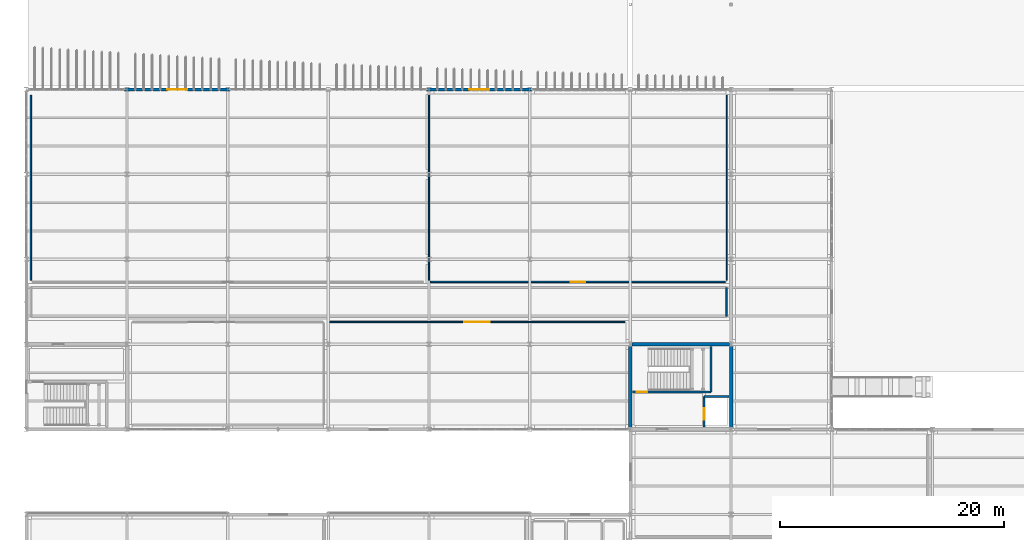
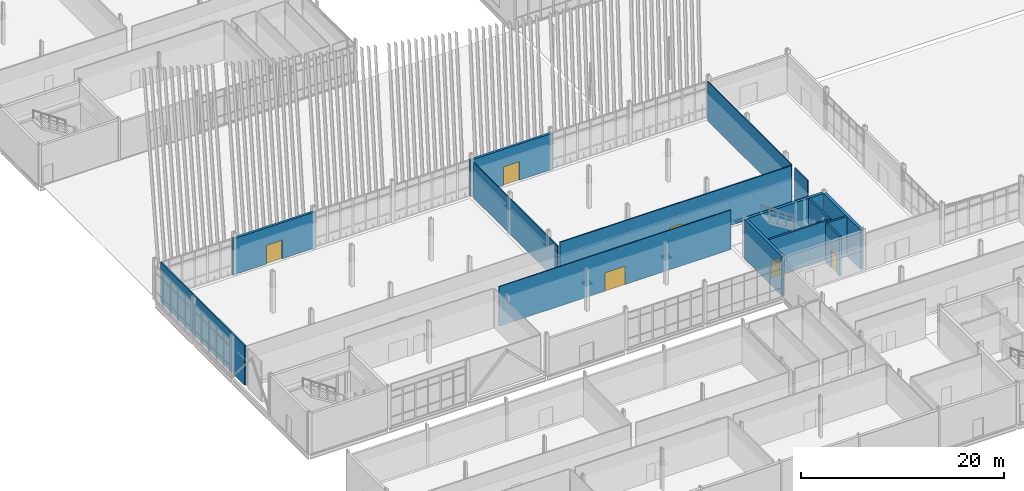
# One storey, part 140 of 161: 15 walls, 6 doors, 6 openings.
"""IFC4 building model written with IfcOpenShell, lengths in metres."""

from ifc_helpers import new_model, si_unit, direction, frame, frame_2d, origin, place, context, subcontext, project, spatial, rectangle, extrude, material, layer, layer_set, type_object, element, fill, save


model = new_model("IFC4")

# Units and contexts
model_context = context("Model", 3, precision=1e-05, world=origin(), true_north=direction((0.0, 1.0)))
body_context = subcontext(model_context, "Body", "Model", "MODEL_VIEW")
ifc_project = project(units=[si_unit("LENGTHUNIT", "METRE"), si_unit("AREAUNIT", "SQUARE_METRE"), si_unit("VOLUMEUNIT", "CUBIC_METRE"), si_unit("PLANEANGLEUNIT", "RADIAN"), si_unit("MASSUNIT", "GRAM", prefix="KILO")], contexts=[model_context])

# Site, building, storey
site_placement = place(None, origin())
site = spatial("IfcSite", under=ifc_project, at=site_placement, CompositionType="ELEMENT")
building_placement = place(site_placement, origin())
building = spatial("IfcBuilding", under=site, at=building_placement, Name="Caisbarro Railhouse Central Library", CompositionType="ELEMENT")
storey_placement = place(building_placement, origin())
storey = spatial("IfcBuildingStorey", under=building, at=storey_placement, Name="L00", CompositionType="ELEMENT", Elevation=0.0)

# Walls
ifc_material_1 = material(Name="Concrete C40", Category="concrete")
ifc_layer_1 = layer(ifc_material_1, 0.320068359375, Name="Concrete C40")
ifc_layer_set_1 = layer_set([ifc_layer_1], Name="Concrete C40")
wall_type_1 = type_object("IfcWallType", Name="WAL-CW32", PredefinedType="SHEAR", material=ifc_layer_set_1)
wall_1_placement = place(storey_placement, frame((54.159912109375, 38.0, 0.0), z_axis=(0.0, 0.0, 1.0), x_axis=(1.0, 0.0, 0.0)))
element("IfcWall", 1, at=wall_1_placement, inside=storey, type_object=wall_type_1, Name="CW32 RC core shear wall L00 #59", PredefinedType="SHEAR", context=body_context, shape_type="SweptSolid", body=[
    extrude(rectangle(XDim=8.68017578125, YDim=0.320068359375, at=frame_2d((4.340087890625, 0.0))), origin(), (0.0, 0.0, 1.0), 4.760009765625),
])
for number, where, z_axis, x_axis, name in (
    (2, (54.0, 30.56005859375, 0.0), (0.0, 0.0, 1.0), (0.0, 1.0, 0.0), "CW32 RC core shear wall L00 #60"),
    (3, (63.0, 30.56005859375, 0.0), (0.0, 0.0, 1.0), (0.0, 1.0, 0.0), "CW32 RC core shear wall L00 #61"),
):
    element("IfcWall", number, at=place(storey_placement, frame(where, z_axis=z_axis, x_axis=x_axis)), inside=storey, type_object=wall_type_1, Name=name, PredefinedType="SHEAR", context=body_context, shape_type="SweptSolid", body=[
        extrude(rectangle(XDim=7.280029296875, YDim=0.320068359375, at=frame_2d((3.64013671875, 0.0))), origin(), (0.0, 0.0, 1.0), 4.760009765625),
    ])

# Wall, opening, door
ifc_material_2 = material(Name="Concrete C35 insulated architectural precast", Category="concrete")
ifc_layer_2 = layer(ifc_material_2, 0.260009765625, Name="Concrete C35 insulated architectural precast")
ifc_layer_set_2 = layer_set([ifc_layer_2], Name="Concrete C35 insulated architectural precast")
wall_type_2 = type_object("IfcWallType", Name="WAL-EW26", PredefinedType="STANDARD", material=ifc_layer_set_2)
wall_2_placement = place(storey_placement, frame((8.7900390625, 60.800048828125, 0.0), z_axis=(0.0, 0.0, 1.0), x_axis=(1.0, 0.0, 0.0)))
wall_2 = element("IfcWall", 4, at=wall_2_placement, inside=storey, type_object=wall_type_2, Name="EW26 exterior wall L00 #23", PredefinedType="STANDARD", context=body_context, shape_type="SweptSolid", body=[
    extrude(rectangle(XDim=9.419921875, YDim=0.260009765625, at=frame_2d((4.7099609375, 0.0))), origin(), (0.0, 0.0, 1.0), 4.35107421875),
])
opening_1_placement = place(wall_2_placement, frame((3.81005859375, 0.0, 0.0)))
opening_1 = element("IfcOpeningElement", 5, at=opening_1_placement, cuts=wall_2, Name="Opening ED01", PredefinedType="OPENING", context=body_context, shape_type="SweptSolid", body=[
    extrude(rectangle(XDim=1.800048828125, YDim=2.25, at=frame_2d((0.89990234375, 1.125))), frame((0.0, 0.14013671875, 0.0), z_axis=(0.0, -1.0, 0.0), x_axis=(1.0, 0.0, 0.0)), (0.0, 0.0, 1.0), 0.280029296875),
])
ifc_material_3 = material(Name="Thermally broken anodised aluminium and safety glass", Category="aluminium")
door_type_1 = type_object("IfcDoorType", Name="DR-ED01", OperationType="NOTDEFINED", PredefinedType="DOOR", material=ifc_material_3)
door_1_placement = place(opening_1_placement, origin())
door_1 = element("IfcDoor", 6, at=door_1_placement, inside=storey, type_object=door_type_1, Name="Exit Door ED01 L00-01", OperationType="SINGLE_SWING_LEFT", OverallHeight=2.25, OverallWidth=1.800048828125, PredefinedType="DOOR", context=body_context, shape_type="SweptSolid", body=[
    extrude(rectangle(XDim=1.800048828125, YDim=2.25, at=frame_2d((0.89990234375, 1.125))), frame((0.0, 0.02490234375, 0.0), z_axis=(0.0, -1.0, 0.0), x_axis=(1.0, 0.0, 0.0)), (0.0, 0.0, 1.0), 0.050048828125),
])
fill(opening_1, door_1)

wall_3_placement = place(storey_placement, frame((35.7900390625, 60.800048828125, 0.0), z_axis=(0.0, 0.0, 1.0), x_axis=(1.0, 0.0, 0.0)))
wall_3 = element("IfcWall", 7, at=wall_3_placement, inside=storey, type_object=wall_type_2, Name="EW26 exterior wall L00 #24", PredefinedType="STANDARD", context=body_context, shape_type="SweptSolid", body=[
    extrude(rectangle(XDim=9.419921875, YDim=0.260009765625, at=frame_2d((4.7099609375, 0.0))), origin(), (0.0, 0.0, 1.0), 4.35107421875),
])
opening_2_placement = place(wall_3_placement, frame((3.81005859375, 0.0, 0.0)))
opening_2 = element("IfcOpeningElement", 8, at=opening_2_placement, cuts=wall_3, Name="Opening ED01", PredefinedType="OPENING", context=body_context, shape_type="SweptSolid", body=[
    extrude(rectangle(XDim=1.800048828125, YDim=2.25, at=frame_2d((0.89990234375, 1.125))), frame((0.0, 0.14013671875, 0.0), z_axis=(0.0, -1.0, 0.0), x_axis=(1.0, 0.0, 0.0)), (0.0, 0.0, 1.0), 0.280029296875),
])
door_2_placement = place(opening_2_placement, origin())
door_2 = element("IfcDoor", 9, at=door_2_placement, inside=storey, type_object=door_type_1, Name="Exit Door ED01 L00-02", OperationType="SINGLE_SWING_RIGHT", OverallHeight=2.25, OverallWidth=1.800048828125, PredefinedType="DOOR", context=body_context, shape_type="SweptSolid", body=[
    extrude(rectangle(XDim=1.800048828125, YDim=2.25, at=frame_2d((0.89990234375, 1.125))), frame((0.0, 0.02490234375, 0.0), z_axis=(0.0, -1.0, 0.0), x_axis=(1.0, 0.0, 0.0)), (0.0, 0.0, 1.0), 0.050048828125),
])
fill(opening_2, door_2)

# Walls
ifc_material_4 = material(Name="Acoustic gypsum board on galvanised steel studs", Category="steel")
ifc_layer_3 = layer(ifc_material_4, 0.090087890625, Name="Acoustic gypsum board on galvanised steel studs")
ifc_layer_set_3 = layer_set([ifc_layer_3], Name="Acoustic gypsum board on galvanised steel studs")
wall_type_3 = type_object("IfcWallType", Name="WAL-IW09", PredefinedType="PARTITIONING", material=ifc_layer_set_3)
wall_4_placement = place(storey_placement, frame((62.60009765625, 43.719970703125, 0.0), z_axis=(0.0, 0.0, 1.0), x_axis=(0.0, 1.0, 0.0)))
element("IfcWall", 10, at=wall_4_placement, inside=storey, type_object=wall_type_3, Name="IW09 partition wall L00 #297", PredefinedType="PARTITIONING", context=body_context, shape_type="SweptSolid", body=[
    extrude(rectangle(XDim=16.56005859375, YDim=0.090087890625, at=frame_2d((8.280029296875, 0.0))), origin(), (0.0, 0.0, 1.0), 4.760009765625),
])
ifc_layer_4 = layer(ifc_material_4, 0.110107421875, Name="Acoustic gypsum board on galvanised steel studs")
ifc_layer_set_4 = layer_set([ifc_layer_4], Name="Acoustic gypsum board on galvanised steel studs")
wall_type_4 = type_object("IfcWallType", Name="WAL-IW11", PredefinedType="PARTITIONING", material=ifc_layer_set_4)
wall_5_placement = place(storey_placement, frame((36.0, 43.719970703125, 0.0), z_axis=(0.0, 0.0, 1.0), x_axis=(0.0, 1.0, 0.0)))
element("IfcWall", 11, at=wall_5_placement, inside=storey, type_object=wall_type_4, Name="IW11 partition wall L00 #296", PredefinedType="PARTITIONING", context=body_context, shape_type="SweptSolid", body=[
    extrude(rectangle(XDim=16.56005859375, YDim=0.110107421875, at=frame_2d((8.280029296875, 0.0))), origin(), (0.0, 0.0, 1.0), 4.27490234375),
])

# Wall, opening, door
wall_6_placement = place(storey_placement, frame((27.1201171875, 40.0, 0.0), z_axis=(0.0, 0.0, 1.0), x_axis=(1.0, 0.0, 0.0)))
wall_6 = element("IfcWall", 12, at=wall_6_placement, inside=storey, type_object=wall_type_4, Name="IW11 partition wall L00 #356", PredefinedType="PARTITIONING", context=body_context, shape_type="SweptSolid", body=[
    extrude(rectangle(XDim=26.35986328125, YDim=0.110107421875, at=frame_2d((13.179931640625, 0.0))), origin(), (0.0, 0.0, 1.0), 4.760009765625),
])
opening_3_placement = place(wall_6_placement, frame((12.0400390625, 0.0, 0.0)))
opening_3 = element("IfcOpeningElement", 13, at=opening_3_placement, cuts=wall_6, Name="Opening ID56", PredefinedType="OPENING", context=body_context, shape_type="SweptSolid", body=[
    extrude(rectangle(XDim=2.280029296875, YDim=2.199951171875, at=frame_2d((1.14013671875, 1.10009765625))), frame((0.0, 0.06494140625, 0.0), z_axis=(0.0, -1.0, 0.0), x_axis=(1.0, 0.0, 0.0)), (0.0, 0.0, 1.0), 0.130126953125),
])
ifc_material_5 = material(Name="Solid-core tropical hardwood veneer", Category="wood")
door_type_2 = type_object("IfcDoorType", Name="DR-ID56", OperationType="NOTDEFINED", PredefinedType="DOOR", material=ifc_material_5)
door_3_placement = place(opening_3_placement, origin())
door_3 = element("IfcDoor", 14, at=door_3_placement, inside=storey, type_object=door_type_2, Name="Civic Exhibition Gallery Door ID56 L00-218", OperationType="SINGLE_SWING_RIGHT", OverallHeight=2.199951171875, OverallWidth=2.280029296875, PredefinedType="DOOR", context=body_context, shape_type="SweptSolid", body=[
    extrude(rectangle(XDim=2.280029296875, YDim=2.199951171875, at=frame_2d((1.14013671875, 1.10009765625))), frame((0.0, 0.02490234375, 0.0), z_axis=(0.0, -1.0, 0.0), x_axis=(1.0, 0.0, 0.0)), (0.0, 0.0, 1.0), 0.050048828125),
])
fill(opening_3, door_3)

ifc_layer_5 = layer(ifc_material_4, 0.1298828125, Name="Acoustic gypsum board on galvanised steel studs")
ifc_layer_set_5 = layer_set([ifc_layer_5], Name="Acoustic gypsum board on galvanised steel studs")
wall_type_5 = type_object("IfcWallType", Name="WAL-IW13", PredefinedType="PARTITIONING", material=ifc_layer_set_5)
wall_7_placement = place(storey_placement, frame((36.1201171875, 43.60009765625, 0.0), z_axis=(0.0, 0.0, 1.0), x_axis=(1.0, 0.0, 0.0)))
wall_7 = element("IfcWall", 15, at=wall_7_placement, inside=storey, type_object=wall_type_5, Name="IW13 partition wall L00 #295", PredefinedType="PARTITIONING", context=body_context, shape_type="SweptSolid", body=[
    extrude(rectangle(XDim=26.35986328125, YDim=0.1298828125, at=frame_2d((13.179931640625, 0.0))), origin(), (0.0, 0.0, 1.0), 4.760009765625),
])
opening_4_placement = place(wall_7_placement, frame((12.534912109375, 0.0, 0.0)))
opening_4 = element("IfcOpeningElement", 16, at=opening_4_placement, cuts=wall_7, Name="Opening ID31", PredefinedType="OPENING", context=body_context, shape_type="SweptSolid", body=[
    extrude(rectangle(XDim=1.2900390625, YDim=2.14990234375, at=frame_2d((0.64501953125, 1.074951171875))), frame((0.0, 0.074951171875, 0.0), z_axis=(0.0, -1.0, 0.0), x_axis=(1.0, 0.0, 0.0)), (0.0, 0.0, 1.0), 0.14990234375),
])
door_type_3 = type_object("IfcDoorType", Name="DR-ID31", OperationType="NOTDEFINED", PredefinedType="DOOR", material=ifc_material_5)
door_4_placement = place(opening_4_placement, origin())
door_4 = element("IfcDoor", 17, at=door_4_placement, inside=storey, type_object=door_type_3, Name="Popular Lending Reading Room Door ID31 L00-193", OperationType="SINGLE_SWING_LEFT", OverallHeight=2.14990234375, OverallWidth=1.2900390625, PredefinedType="DOOR", context=body_context, shape_type="SweptSolid", body=[
    extrude(rectangle(XDim=1.2900390625, YDim=2.14990234375, at=frame_2d((0.64501953125, 1.074951171875))), frame((0.0, 0.02490234375, 0.0), z_axis=(0.0, -1.0, 0.0), x_axis=(1.0, 0.0, 0.0)), (0.0, 0.0, 1.0), 0.050048828125),
])
fill(opening_4, door_4)

# Walls
ifc_layer_6 = layer(ifc_material_4, 0.14990234375, Name="Acoustic gypsum board on galvanised steel studs")
ifc_layer_set_6 = layer_set([ifc_layer_6], Name="Acoustic gypsum board on galvanised steel studs")
wall_type_6 = type_object("IfcWallType", Name="WAL-IW15", PredefinedType="PARTITIONING", material=ifc_layer_set_6)
wall_8_placement = place(storey_placement, frame((62.60009765625, 40.52001953125, 0.0), z_axis=(0.0, 0.0, 1.0), x_axis=(0.0, 1.0, 0.0)))
element("IfcWall", 18, at=wall_8_placement, inside=storey, type_object=wall_type_6, Name="IW15 partition wall L00 #354", PredefinedType="PARTITIONING", context=body_context, shape_type="SweptSolid", body=[
    extrude(rectangle(XDim=2.56005859375, YDim=0.14990234375, at=frame_2d((1.280029296875, 0.0))), origin(), (0.0, 0.0, 1.0), 4.760009765625),
])
wall_9_placement = place(storey_placement, frame((0.39990234375, 43.719970703125, 0.0), z_axis=(0.0, 0.0, 1.0), x_axis=(0.0, 1.0, 0.0)))
element("IfcWall", 19, at=wall_9_placement, inside=storey, type_object=wall_type_6, Name="IW15 partition wall L00 #358", PredefinedType="PARTITIONING", context=body_context, shape_type="SweptSolid", body=[
    extrude(rectangle(XDim=16.56005859375, YDim=0.14990234375, at=frame_2d((8.280029296875, 0.0))), origin(), (0.0, 0.0, 1.0), 4.760009765625),
])

# Wall, opening, door
ifc_layer_7 = layer(ifc_material_1, 0.2099609375, Name="Concrete C40")
ifc_layer_set_7 = layer_set([ifc_layer_7], Name="Concrete C40")
wall_type_7 = type_object("IfcWallType", Name="WAL-SW21", PredefinedType="SOLIDWALL", material=ifc_layer_set_7)
wall_10_placement = place(storey_placement, frame((54.199951171875, 33.75, 0.0), z_axis=(0.0, 0.0, 1.0), x_axis=(1.0, 0.0, 0.0)))
wall_10 = element("IfcWall", 20, at=wall_10_placement, inside=storey, type_object=wall_type_7, Name="SW21 core shaft wall L00 #123", PredefinedType="SOLIDWALL", context=body_context, shape_type="SweptSolid", body=[
    extrude(rectangle(XDim=7.0, YDim=0.2099609375, at=frame_2d((3.5, 0.0))), origin(), (0.0, 0.0, 1.0), 4.760009765625),
])
opening_5_placement = place(wall_10_placement, frame((0.35009765625, 0.0, 0.0)))
opening_5 = element("IfcOpeningElement", 21, at=opening_5_placement, cuts=wall_10, Name="Opening FD01", PredefinedType="OPENING", context=body_context, shape_type="SweptSolid", body=[
    extrude(rectangle(XDim=0.949951171875, YDim=2.1201171875, at=frame_2d((0.47509765625, 1.06005859375))), frame((0.0, 0.114990234375, 0.0), z_axis=(0.0, -1.0, 0.0), x_axis=(1.0, 0.0, 0.0)), (0.0, 0.0, 1.0), 0.22998046875),
])
ifc_material_6 = material(Name="Fire-rated painted galvanised steel", Category="steel")
door_type_4 = type_object("IfcDoorType", Name="DR-FD01", OperationType="NOTDEFINED", PredefinedType="DOOR", material=ifc_material_6)
door_5_placement = place(opening_5_placement, origin())
door_5 = element("IfcDoor", 22, at=door_5_placement, inside=storey, type_object=door_type_4, Name="Stair ST-04 Fire Door FD01 L00-103", OperationType="SINGLE_SWING_LEFT", OverallHeight=2.1201171875, OverallWidth=0.949951171875, PredefinedType="DOOR", context=body_context, shape_type="SweptSolid", body=[
    extrude(rectangle(XDim=0.949951171875, YDim=2.1201171875, at=frame_2d((0.47509765625, 1.06005859375))), frame((0.0, 0.02490234375, 0.0), z_axis=(0.0, -1.0, 0.0), x_axis=(1.0, 0.0, 0.0)), (0.0, 0.0, 1.0), 0.050048828125),
])
fill(opening_5, door_5)

# Wall
wall_11_placement = place(storey_placement, frame((61.199951171875, 33.75, 0.0), z_axis=(0.0, 0.0, 1.0), x_axis=(0.0, 1.0, 0.0)))
element("IfcWall", 23, at=wall_11_placement, inside=storey, type_object=wall_type_7, Name="SW21 core shaft wall L00 #124", PredefinedType="SOLIDWALL", context=body_context, shape_type="SweptSolid", body=[
    extrude(rectangle(XDim=4.050048828125, YDim=0.2099609375, at=frame_2d((2.02490234375, 0.0))), origin(), (0.0, 0.0, 1.0), 4.760009765625),
])

# Wall, opening, door
wall_12_placement = place(storey_placement, frame((60.580078125, 30.60009765625, 0.0), z_axis=(0.0, 0.0, 1.0), x_axis=(0.0, 1.0, 0.0)))
wall_12 = element("IfcWall", 24, at=wall_12_placement, inside=storey, type_object=wall_type_7, Name="SW21 core shaft wall L00 #125", PredefinedType="SOLIDWALL", context=body_context, shape_type="SweptSolid", body=[
    extrude(rectangle(XDim=2.75, YDim=0.2099609375, at=frame_2d((1.375, 0.0))), origin(), (0.0, 0.0, 1.0), 4.760009765625),
])
opening_6_placement = place(wall_12_placement, frame((0.64990234375, 0.0, 0.0)))
opening_6 = element("IfcOpeningElement", 25, at=opening_6_placement, cuts=wall_12, Name="Opening LD02", PredefinedType="OPENING", context=body_context, shape_type="SweptSolid", body=[
    extrude(rectangle(XDim=1.0400390625, YDim=2.10009765625, at=frame_2d((0.52001953125, 1.050048828125))), frame((0.0, 0.114990234375, 0.0), z_axis=(0.0, -1.0, 0.0), x_axis=(1.0, 0.0, 0.0)), (0.0, 0.0, 1.0), 0.22998046875),
])
ifc_material_7 = material(Name="Brushed stainless steel elevator cab", Category="steel")
door_type_5 = type_object("IfcDoorType", Name="DR-LD02", OperationType="NOTDEFINED", PredefinedType="DOOR", material=ifc_material_7)
door_6_placement = place(opening_6_placement, origin())
door_6 = element("IfcDoor", 26, at=door_6_placement, inside=storey, type_object=door_type_5, Name="Lift PL-03 Landing Door LD02 L00-104", OperationType="SLIDING_TO_LEFT", OverallHeight=2.10009765625, OverallWidth=1.0400390625, PredefinedType="DOOR", context=body_context, shape_type="SweptSolid", body=[
    extrude(rectangle(XDim=1.0400390625, YDim=2.10009765625, at=frame_2d((0.52001953125, 1.050048828125))), frame((0.0, 0.02490234375, 0.0), z_axis=(0.0, -1.0, 0.0), x_axis=(1.0, 0.0, 0.0)), (0.0, 0.0, 1.0), 0.050048828125),
])
fill(opening_6, door_6)

# Wall
wall_13_placement = place(storey_placement, frame((60.580078125, 33.35009765625, 0.0), z_axis=(0.0, 0.0, 1.0), x_axis=(1.0, 0.0, 0.0)))
element("IfcWall", 27, at=wall_13_placement, inside=storey, type_object=wall_type_7, Name="SW21 core shaft wall L00 #126", PredefinedType="SOLIDWALL", context=body_context, shape_type="SweptSolid", body=[
    extrude(rectangle(XDim=2.239990234375, YDim=0.2099609375, at=frame_2d((1.1201171875, 0.0))), origin(), (0.0, 0.0, 1.0), 4.760009765625),
])

save(model, "model.ifc")
